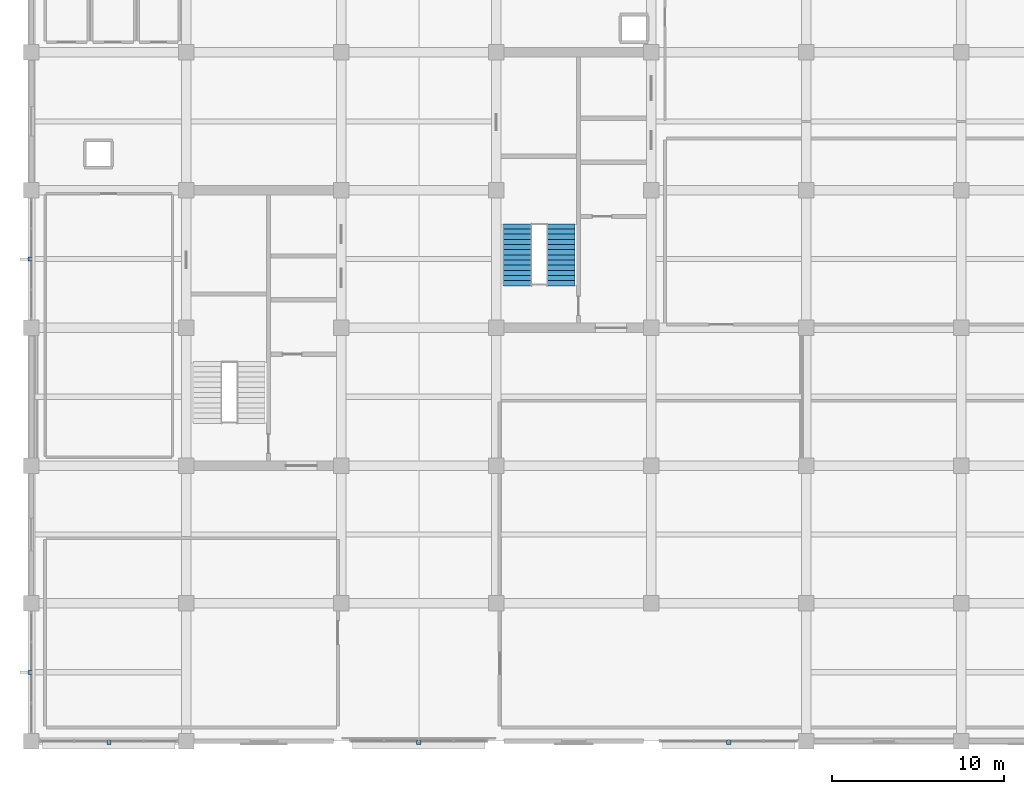
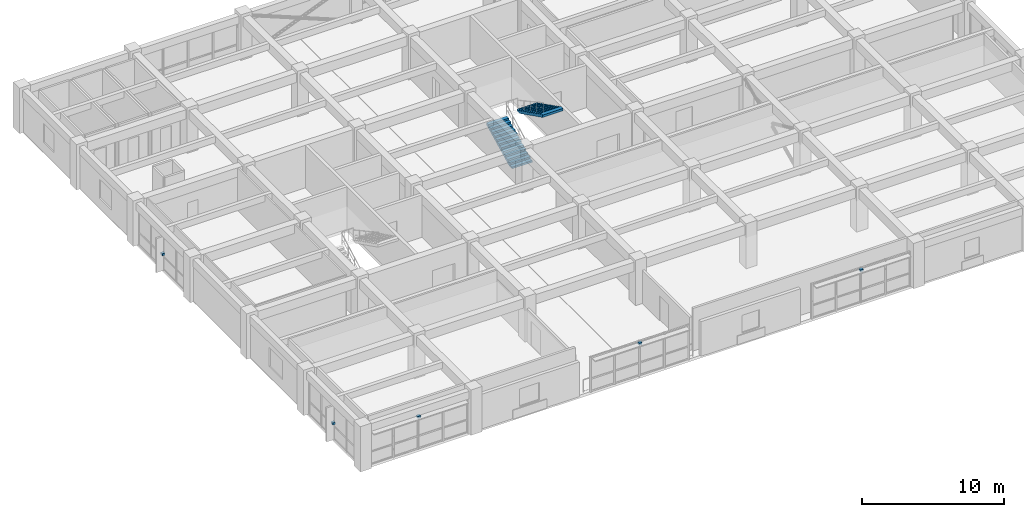
# One storey, part 15 of 16: 5 discrete accessories, 2 stair flights, 1 element without a shape of its own.
"""IFC4 building model written with IfcOpenShell, lengths in metres."""

from ifc_helpers import new_model, si_unit, direction, frame, origin, origin_2d, place, context, subcontext, project, spatial, polyline, rectangle, outline, extrude, material, layer, layer_set, type_object, element, aggregate, save


model = new_model("IFC4")

# Units and contexts
model_context = context("Model", 3, precision=1e-05, world=origin(), true_north=direction((0.0, 1.0)))
body_context = subcontext(model_context, "Body", "Model", "MODEL_VIEW")
ifc_project = project(units=[si_unit("LENGTHUNIT", "METRE"), si_unit("AREAUNIT", "SQUARE_METRE"), si_unit("VOLUMEUNIT", "CUBIC_METRE"), si_unit("PLANEANGLEUNIT", "RADIAN"), si_unit("MASSUNIT", "GRAM", prefix="KILO")], contexts=[model_context])

# Site, building, storey
site_placement = place(None, origin())
site = spatial("IfcSite", under=ifc_project, at=site_placement, CompositionType="ELEMENT")
building_placement = place(site_placement, origin())
building = spatial("IfcBuilding", under=site, at=building_placement, Name="Zaverband Oceanarium and Marine Research Institute", CompositionType="ELEMENT")
storey_placement = place(building_placement, frame((0.0, 0.0, 25.800048828125)))
storey = spatial("IfcBuildingStorey", under=building, at=storey_placement, Name="L06", CompositionType="ELEMENT", Elevation=25.800048828125)

# Stair, stair flights
ifc_material_1 = material(Name="Concrete C40/50", Category="concrete")
stair_type = type_object("IfcStairType", Name="STR-TWR-1650-3900", PredefinedType="HALF_TURN_STAIR", material=ifc_material_1)
stair_placement = place(storey_placement, origin())
stair = element("IfcStair", 1, at=stair_placement, inside=storey, type_object=stair_type, Name="Exit Stair ST-02 (L06)", PredefinedType="HALF_TURN_STAIR")
stair_flight_type = type_object("IfcStairFlightType", Name="STR-TWR-1650-3900-FL", PredefinedType="STRAIGHT", material=ifc_material_1)
stair_flight_1_placement = place(storey_placement, frame((37.2548828125, 90.449951171875, 0.0), z_axis=(0.0, 0.0, 1.0), x_axis=(0.0, 1.0, 0.0)))
stair_flight_1 = element("IfcStairFlight", 2, at=stair_flight_1_placement, type_object=stair_flight_type, Name="Reinforced concrete stair flight ST-02-F1", NumberOfRisers=13, NumberOfTreads=12, PredefinedType="STRAIGHT", RiserHeight=0.15, TreadLength=0.3, context=body_context, shape_type="SweptSolid", body=[
    extrude(outline(polyline([(0.0, 0.0), (0.0, 0.14990234375), (0.300048828125, 0.14990234375), (0.300048828125, 0.300048828125), (0.60009765625, 0.300048828125), (0.60009765625, 0.449951171875), (0.89990234375, 0.449951171875), (0.89990234375, 0.60009765625), (1.199951171875, 0.60009765625), (1.199951171875, 0.75), (1.5, 0.75), (1.5, 0.89990234375), (1.800048828125, 0.89990234375), (1.800048828125, 1.050048828125), (2.10009765625, 1.050048828125), (2.10009765625, 1.199951171875), (2.39990234375, 1.199951171875), (2.39990234375, 1.35009765625), (2.699951171875, 1.35009765625), (2.699951171875, 1.5), (3.0, 1.5), (3.0, 1.64990234375), (3.300048828125, 1.64990234375), (3.300048828125, 1.800048828125), (3.60009765625, 1.800048828125), (3.60009765625, 1.949951171875), (3.60009765625, 1.598876953125), (0.40234375, 0.0), (0.0, 0.0)])), frame((0.0, 0.824951171875, 0.0), z_axis=(0.0, -1.0, 0.0), x_axis=(1.0, 0.0, 0.0)), (0.0, 0.0, 1.0), 1.64990234375),
])
stair_flight_2_placement = place(storey_placement, frame((39.7451171875, 94.050048828125, 1.949951171875), z_axis=(0.0, 0.0, 1.0), x_axis=(0.0, -1.0, 0.0)))
stair_flight_2 = element("IfcStairFlight", 3, at=stair_flight_2_placement, type_object=stair_flight_type, Name="Reinforced concrete stair flight ST-02-F2", NumberOfRisers=13, NumberOfTreads=12, PredefinedType="STRAIGHT", RiserHeight=0.15, TreadLength=0.3, context=body_context, shape_type="SweptSolid", body=[
    extrude(outline(polyline([(0.0, 0.0), (0.0, 0.14990234375), (0.300048828125, 0.14990234375), (0.300048828125, 0.300048828125), (0.60009765625, 0.300048828125), (0.60009765625, 0.449951171875), (0.89990234375, 0.449951171875), (0.89990234375, 0.60009765625), (1.199951171875, 0.60009765625), (1.199951171875, 0.75), (1.5, 0.75), (1.5, 0.89990234375), (1.800048828125, 0.89990234375), (1.800048828125, 1.050048828125), (2.10009765625, 1.050048828125), (2.10009765625, 1.199951171875), (2.39990234375, 1.199951171875), (2.39990234375, 1.35009765625), (2.699951171875, 1.35009765625), (2.699951171875, 1.5), (3.0, 1.5), (3.0, 1.64990234375), (3.300048828125, 1.64990234375), (3.300048828125, 1.800048828125), (3.60009765625, 1.800048828125), (3.60009765625, 1.949951171875), (3.60009765625, 1.598876953125), (0.40234375, 0.0), (0.0, 0.0)])), frame((0.0, 0.824951171875, 0.0), z_axis=(0.0, -1.0, 0.0), x_axis=(1.0, 0.0, 0.0)), (0.0, 0.0, 1.0), 1.64990234375),
])
aggregate(stair, [stair_flight_1, stair_flight_2])

# Discrete accessories
ifc_material_2 = material(Name="Steel S355", Category="steel")
ifc_layer = layer(ifc_material_2, 0.179931640625, Name="Steel S355")
ifc_layer_set = layer_set([ifc_layer], Name="Steel S355")
discrete_accessory_type = type_object("IfcDiscreteAccessoryType", Name="BRK-STL-200", PredefinedType="BRACKET", material=ifc_layer_set)
for number, where, z_axis, x_axis, name in (
    (4, (13.5, 63.919921875, 2.75), (0.0, 0.0, 1.0), (1.0, 0.0, 0.0), "Galvanized steel facade fin structural bracket BRK-STL-200"),
    (5, (31.5, 63.919921875, 2.75), (0.0, 0.0, 1.0), (1.0, 0.0, 0.0), "Galvanized steel facade fin structural bracket BRK-STL-200"),
    (6, (49.5, 63.919921875, 2.75), (0.0, 0.0, 1.0), (1.0, 0.0, 0.0), "Galvanized steel facade fin structural bracket BRK-STL-200"),
    (7, (8.919921875, 68.0, 1.31982421875), (0.0, 0.0, 1.0), (1.0, 0.0, 0.0), "Galvanized steel facade fin structural bracket BRK-STL-200"),
    (8, (8.919921875, 92.0, 1.31982421875), (0.0, 0.0, 1.0), (1.0, 0.0, 0.0), "Galvanized steel facade fin structural bracket BRK-STL-200"),
):
    element("IfcDiscreteAccessory", number, at=place(storey_placement, frame(where, z_axis=z_axis, x_axis=x_axis)), inside=storey, type_object=discrete_accessory_type, Name=name, PredefinedType="BRACKET", context=body_context, shape_type="SweptSolid", body=[
        extrude(rectangle(XDim=0.239990234375, YDim=0.239990234375, at=origin_2d()), origin(), (0.0, 0.0, 1.0), 0.179931640625),
    ])

save(model, "model.ifc")
